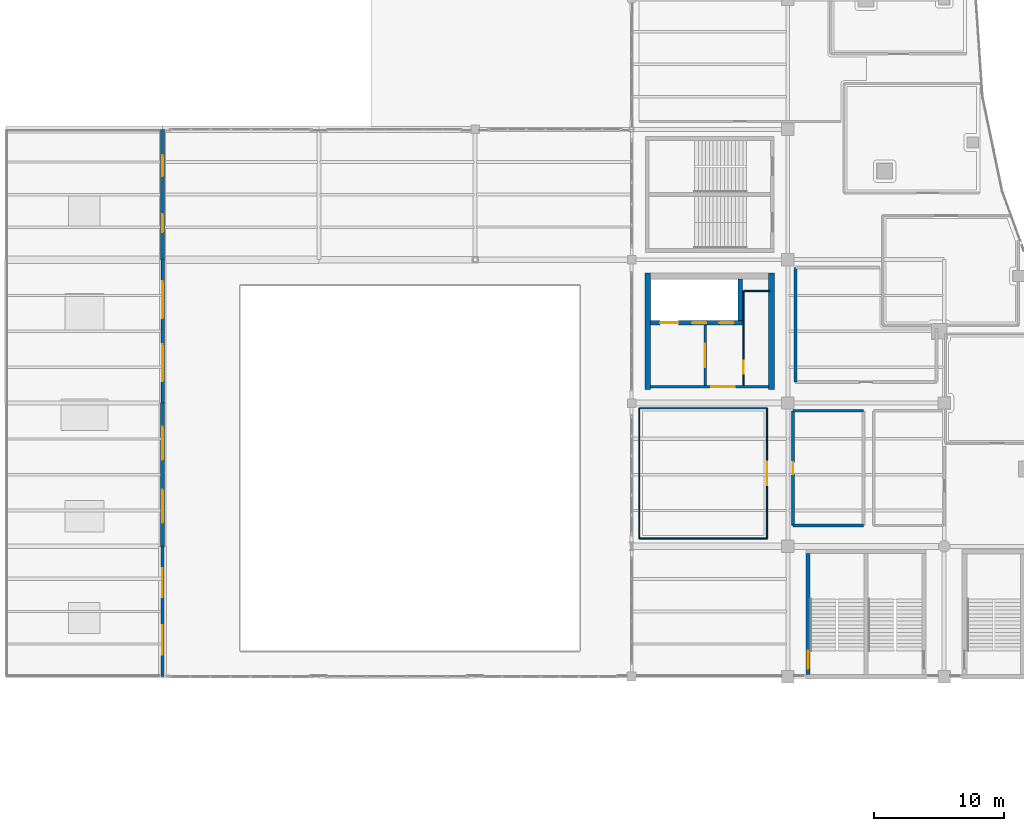
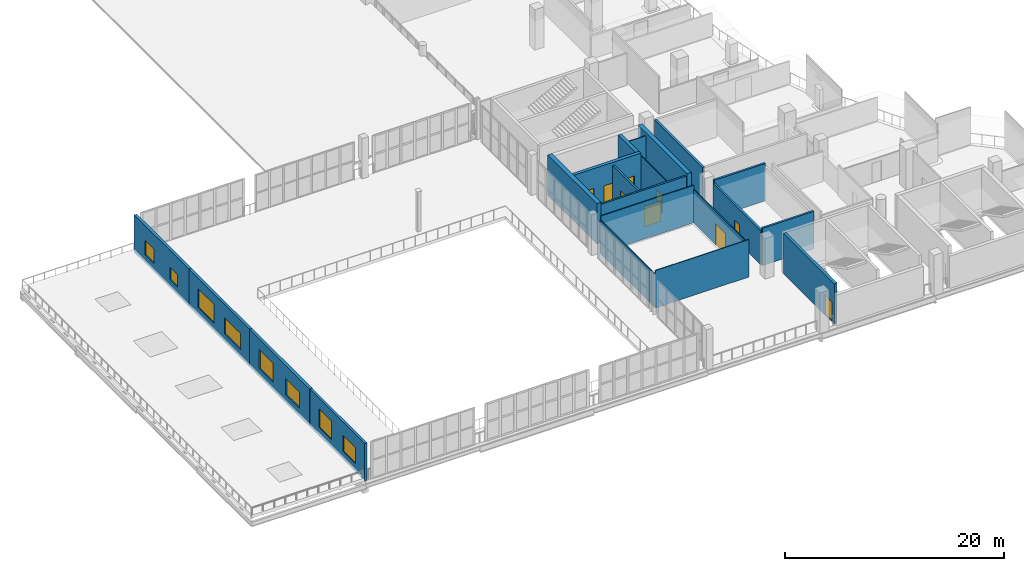
# One storey, part 60 of 90: 21 walls, 9 doors, 8 windows, 17 openings.
"""IFC4 building model written with IfcOpenShell, lengths in metres."""

import ifcopenshell
import ifcopenshell.guid

model = None  # the IFC model being written
_history = None  # IfcOwnerHistory: only IFC2X3 demands one
_inside = {}  # id of a spatial element -> (the spatial element, [elements in it])
_under = {}  # id of a project, library or spatial element -> (it, [spatial elements below it])
_declared = {}  # id of a project -> (the project, [libraries it declares])
_typed = {}  # id of a type object -> (the type object, [elements of that type])
_made_of = {}  # id of a material, layer set ... -> (it, [elements and type objects made of it])


def new_model(schema):
    """Start an empty IFC model of exactly this schema.

    Asked for "IFC4X3", IfcOpenShell would pick the latest addendum, in which some entities
    have other attributes; the version numbers below select the first issue.
    IFC2X3 requires an IfcOwnerHistory on every rooted entity: one is made here for all.
    """
    global model, _history
    if schema == "IFC4X3":
        model = ifcopenshell.file(schema_version=(4, 3, 0, 0))
    else:
        model = ifcopenshell.file(schema=schema)
    _inside.clear()
    _under.clear()
    _declared.clear()
    _typed.clear()
    _made_of.clear()
    _history = None
    if model.schema == "IFC2X3":
        org = make("IfcOrganization", Name="unknown")
        user = make(
            "IfcPersonAndOrganization",
            ThePerson=make("IfcPerson", FamilyName="unknown"),
            TheOrganization=org,
        )
        app = make(
            "IfcApplication",
            ApplicationDeveloper=org,
            Version="unknown",
            ApplicationFullName="unknown",
            ApplicationIdentifier="unknown",
        )
        _history = make(
            "IfcOwnerHistory",
            OwningUser=user,
            OwningApplication=app,
            ChangeAction="ADDED",
            CreationDate=0,
        )
    return model


def make(cls, **values):
    """One entity of the class cls with the attributes given. An attribute that is None is left unset."""
    return model.create_entity(
        cls, **{name: value for name, value in values.items() if value is not None}
    )


def rooted(cls, **values):
    """An entity with a GlobalId (a new one), such as an element, a storey or a relation."""
    return make(cls, GlobalId=ifcopenshell.guid.new(), OwnerHistory=_history, **values)


def si_unit(unit_type, name, prefix=None):
    """IfcSIUnit, for example si_unit("LENGTHUNIT", "METRE", prefix="MILLI")."""
    return make("IfcSIUnit", UnitType=unit_type, Prefix=prefix, Name=name)


def assignment(units):
    """IfcUnitAssignment: the units of a project."""
    return None if units is None else make("IfcUnitAssignment", Units=units)


def point(xyz):
    """IfcCartesianPoint."""
    return None if xyz is None else make("IfcCartesianPoint", Coordinates=xyz)


def direction(xyz):
    """IfcDirection."""
    return None if xyz is None else make("IfcDirection", DirectionRatios=xyz)


def frame(location, z_axis=None, x_axis=None):
    """IfcAxis2Placement3D, a coordinate frame: its origin and axes. An axis left out is left unset."""
    return make(
        "IfcAxis2Placement3D",
        Location=point(location),
        Axis=direction(z_axis),
        RefDirection=direction(x_axis),
    )


def frame_2d(location, x_axis=None):
    """IfcAxis2Placement2D, a coordinate frame in the plane: its origin and x axis."""
    return make(
        "IfcAxis2Placement2D", Location=point(location), RefDirection=direction(x_axis)
    )


def origin():
    """The frame at (0, 0, 0) with its axes left unset."""
    return frame((0.0, 0.0, 0.0))


def place(relative_to, where):
    """IfcLocalPlacement: puts the frame where relative to a parent placement (None: the world)."""
    return make(
        "IfcLocalPlacement", PlacementRelTo=relative_to, RelativePlacement=where
    )


def context(
    kind, dimensions, precision=None, world=None, true_north=None, identifier=None
):
    """IfcGeometricRepresentationContext, for example the 3D "Model" context."""
    return make(
        "IfcGeometricRepresentationContext",
        ContextIdentifier=identifier,
        ContextType=kind,
        CoordinateSpaceDimension=dimensions,
        Precision=precision,
        WorldCoordinateSystem=world,
        TrueNorth=true_north,
    )


def subcontext(parent, identifier, kind, view, scale=None):
    """IfcGeometricRepresentationSubContext, for example "Body" below "Model"."""
    return make(
        "IfcGeometricRepresentationSubContext",
        ContextIdentifier=identifier,
        ContextType=kind,
        ParentContext=parent,
        TargetScale=scale,
        TargetView=view,
    )


def project(units=None, contexts=None):
    """IfcProject with its units and contexts."""
    return rooted(
        "IfcProject",
        Name="project",
        RepresentationContexts=contexts,
        UnitsInContext=assignment(units),
    )


def spatial(cls, under=None, at=None, **own):
    """A site, building, storey or space (cls), placed at a placement, below another one or the project."""
    s = rooted(cls, ObjectPlacement=at, **own)
    if under is not None:
        _under.setdefault(under.id(), (under, []))[1].append(s)
    return s


def profile(cls, at=None, kind="AREA", **sizes):
    """A parametric profile (cls). Its sizes go by their IFC names, for example OverallWidth=200.0."""
    return make(cls, ProfileType=kind, Position=at, **sizes)


def rectangle(**sizes):
    """IfcRectangleProfileDef."""
    return profile("IfcRectangleProfileDef", **sizes)


def extrude(swept, where, along, depth):
    """IfcExtrudedAreaSolid: the profile swept, set in the frame where, extruded along a direction by depth."""
    return make(
        "IfcExtrudedAreaSolid",
        SweptArea=swept,
        Position=where,
        ExtrudedDirection=direction(along),
        Depth=depth,
    )


def shape(context_of_items, identifier, shape_type, items):
    """IfcShapeRepresentation: the items that make up one representation, for example the "Body"."""
    return make(
        "IfcShapeRepresentation",
        ContextOfItems=context_of_items,
        RepresentationIdentifier=identifier,
        RepresentationType=shape_type,
        Items=items,
    )


def material(Name=None, Category=None):
    """IfcMaterial."""
    return make("IfcMaterial", Name=Name, Category=Category)


def layer(
    of_material, thickness, ventilated=None, Name=None, Category=None, Priority=None
):
    """IfcMaterialLayer: one layer of a wall or slab, of a material (None: an air gap)."""
    return make(
        "IfcMaterialLayer",
        Material=of_material,
        LayerThickness=thickness,
        IsVentilated=ventilated,
        Name=Name,
        Category=Category,
        Priority=Priority,
    )


def layer_set(layers, Name=None):
    """IfcMaterialLayerSet."""
    return make("IfcMaterialLayerSet", MaterialLayers=layers, LayerSetName=Name)


def made_of(thing, what):
    """Note that an element or type object is made of a material, layer set ...; save() writes the relation."""
    if what is not None:
        _made_of.setdefault(what.id(), (what, []))[1].append(thing)
    return thing


def type_object(cls, material=None, **own):
    """A type object (cls), such as IfcWallType, which elements share."""
    return made_of(rooted(cls, **own), material)


def element(
    cls,
    number,
    at=None,
    inside=None,
    cuts=None,
    type_object=None,
    material=None,
    context=None,
    identifier="Body",
    shape_type=None,
    held_by="IfcProductDefinitionShape",
    body=None,
    shapes=None,
    **own,
):
    """One element of the class cls, such as IfcWall. Its Tag is "e" and its number.

    at: its placement. inside: the storey or other place that contains it. cuts: it is an
    opening in that element (IfcRelVoidsElement). A single representation is given by context,
    identifier, shape_type and body (its items); several are given by shapes. held_by: the class
    of the entity that holds the representations. save() writes the other relations.
    """
    e = rooted(cls, Tag="e%d" % number, ObjectPlacement=at, **own)
    if body is not None:
        shapes = [shape(context, identifier, shape_type, body)]
    if shapes is not None:
        e.Representation = make(held_by, Representations=shapes)
    if inside is not None:
        _inside.setdefault(inside.id(), (inside, []))[1].append(e)
    if cuts is not None:
        rooted(
            "IfcRelVoidsElement", RelatingBuildingElement=cuts, RelatedOpeningElement=e
        )
    if type_object is not None:
        _typed.setdefault(type_object.id(), (type_object, []))[1].append(e)
    return made_of(e, material)


def fill(opening, filler):
    """IfcRelFillsElement: the door or window that sits in an opening."""
    return rooted(
        "IfcRelFillsElement",
        RelatingOpeningElement=opening,
        RelatedBuildingElement=filler,
    )


def aggregate(whole, parts):
    """IfcRelAggregates: a whole, such as a stair, and the parts it consists of."""
    return rooted("IfcRelAggregates", RelatingObject=whole, RelatedObjects=parts)


def save(model, path):
    """Write the relations noted so far, then the file.

    IfcRelAggregates (storeys below a building ...), IfcRelContainedInSpatialStructure (elements
    in a storey), IfcRelDefinesByType, IfcRelAssociatesMaterial and IfcRelDeclares: one each for
    every whole, place, type object, material and project.
    """
    for whole, parts in _under.values():
        aggregate(whole, parts)
    for where, things in _inside.values():
        rooted(
            "IfcRelContainedInSpatialStructure",
            RelatedElements=things,
            RelatingStructure=where,
        )
    for kind, things in _typed.values():
        rooted("IfcRelDefinesByType", RelatedObjects=things, RelatingType=kind)
    for what, things in _made_of.values():
        rooted("IfcRelAssociatesMaterial", RelatedObjects=things, RelatingMaterial=what)
    for by, libraries in _declared.values():
        rooted("IfcRelDeclares", RelatingContext=by, RelatedDefinitions=libraries)
    model.write(path)


model = new_model("IFC4")

# Units and contexts
model_context = context("Model", 3, precision=1e-05, world=origin(), true_north=direction((0.0, 1.0)))
body_context = subcontext(model_context, "Body", "Model", "MODEL_VIEW")
ifc_project = project(units=[si_unit("LENGTHUNIT", "METRE"), si_unit("AREAUNIT", "SQUARE_METRE"), si_unit("VOLUMEUNIT", "CUBIC_METRE"), si_unit("PLANEANGLEUNIT", "RADIAN"), si_unit("MASSUNIT", "GRAM", prefix="KILO")], contexts=[model_context])

# Site, building, storey
site_placement = place(None, origin())
site = spatial("IfcSite", under=ifc_project, at=site_placement, CompositionType="ELEMENT")
building_placement = place(site_placement, origin())
building = spatial("IfcBuilding", under=site, at=building_placement, Name="Brinegate Civic Arena", CompositionType="ELEMENT")
storey_placement = place(building_placement, frame((0.0, 0.0, 14.699951171875)))
storey = spatial("IfcBuildingStorey", under=building, at=storey_placement, Name="L03", CompositionType="ELEMENT", Elevation=14.699951171875)

# Wall, openings, doors
ifc_material_1 = material(Name="Concrete C50/60", Category="concrete")
ifc_layer_1 = layer(ifc_material_1, 0.35009765625, Name="Concrete C50/60")
ifc_layer_set_1 = layer_set([ifc_layer_1], Name="Concrete C50/60")
wall_type_1 = type_object("IfcWallType", Name="WALL-CORE-SHEAR-350", PredefinedType="SHEAR", material=ifc_layer_set_1)
wall_1_placement = place(storey_placement, frame((49.47509765625, 37.14990234375, 0.0), z_axis=(0.0, 0.0, 1.0), x_axis=(1.0, 0.0, 0.0)))
wall_1 = element("IfcWall", 1, at=wall_1_placement, inside=storey, type_object=wall_type_1, Name="Core K2 Lift Shaft Front Wall L03 (WBG-21)", PredefinedType="SHEAR", context=body_context, shape_type="SweptSolid", body=[
    extrude(rectangle(XDim=7.0498046875, YDim=0.35009765625, at=frame_2d((3.52490234375, 0.0))), origin(), (0.0, 0.0, 1.0), 4.5),
])
opening_1_placement = place(wall_1_placement, frame((0.72509765625, 0.0, 0.0)))
opening_1 = element("IfcOpeningElement", 2, at=opening_1_placement, cuts=wall_1, Name="Opening LD-FL2-L03", PredefinedType="OPENING", context=body_context, shape_type="SweptSolid", body=[
    extrude(rectangle(XDim=1.39990234375, YDim=2.300048828125, at=frame_2d((0.699951171875, 1.14990234375))), frame((0.0, 0.18505859375, 0.0), z_axis=(0.0, -1.0, 0.0), x_axis=(1.0, 0.0, 0.0)), (0.0, 0.0, 1.0), 0.3701171875),
])
opening_2_placement = place(wall_1_placement, frame((3.175048828125, 0.0, 0.0)))
opening_2 = element("IfcOpeningElement", 3, at=opening_2_placement, cuts=wall_1, Name="Opening LD-PL3-L03", PredefinedType="OPENING", context=body_context, shape_type="SweptSolid", body=[
    extrude(rectangle(XDim=1.10009765625, YDim=2.199951171875, at=frame_2d((0.550048828125, 1.10009765625))), frame((0.0, 0.18505859375, 0.0), z_axis=(0.0, -1.0, 0.0), x_axis=(1.0, 0.0, 0.0)), (0.0, 0.0, 1.0), 0.3701171875),
])
opening_3_placement = place(wall_1_placement, frame((5.27490234375, 0.0, 0.0)))
opening_3 = element("IfcOpeningElement", 4, at=opening_3_placement, cuts=wall_1, Name="Opening LD-PL4-L03", PredefinedType="OPENING", context=body_context, shape_type="SweptSolid", body=[
    extrude(rectangle(XDim=1.10009765625, YDim=2.199951171875, at=frame_2d((0.550048828125, 1.10009765625))), frame((0.0, 0.18505859375, 0.0), z_axis=(0.0, -1.0, 0.0), x_axis=(1.0, 0.0, 0.0)), (0.0, 0.0, 1.0), 0.3701171875),
])
ifc_material_2 = material(Name="Architectural stainless steel balustrade", Category="steel")
door_type_1 = type_object("IfcDoorType", Name="DOOR-LIFT-1100X2200", OperationType="SLIDING_TO_LEFT", PredefinedType="DOOR", material=ifc_material_2)
door_1_placement = place(opening_2_placement, origin())
door_1 = element("IfcDoor", 5, at=door_1_placement, inside=storey, type_object=door_type_1, Name="Sliding Lift Landing Door LD-PL3-L03", OperationType="SLIDING_TO_LEFT", OverallHeight=2.199951171875, OverallWidth=1.10009765625, PredefinedType="DOOR", context=body_context, shape_type="SweptSolid", body=[
    extrude(rectangle(XDim=1.10009765625, YDim=2.199951171875, at=frame_2d((0.550048828125, 1.10009765625))), frame((0.0, 0.02490234375, 0.0), z_axis=(0.0, -1.0, 0.0), x_axis=(1.0, 0.0, 0.0)), (0.0, 0.0, 1.0), 0.050048828125),
])
fill(opening_2, door_1)
door_2_placement = place(opening_3_placement, origin())
door_2 = element("IfcDoor", 6, at=door_2_placement, inside=storey, type_object=door_type_1, Name="Sliding Lift Landing Door LD-PL4-L03", OperationType="SLIDING_TO_LEFT", OverallHeight=2.199951171875, OverallWidth=1.10009765625, PredefinedType="DOOR", context=body_context, shape_type="SweptSolid", body=[
    extrude(rectangle(XDim=1.10009765625, YDim=2.199951171875, at=frame_2d((0.550048828125, 1.10009765625))), frame((0.0, 0.02490234375, 0.0), z_axis=(0.0, -1.0, 0.0), x_axis=(1.0, 0.0, 0.0)), (0.0, 0.0, 1.0), 0.050048828125),
])
fill(opening_3, door_2)
door_type_2 = type_object("IfcDoorType", Name="DOOR-LIFT-1400X2300", OperationType="SLIDING_TO_LEFT", PredefinedType="DOOR", material=ifc_material_2)
door_3_placement = place(opening_1_placement, origin())
door_3 = element("IfcDoor", 7, at=door_3_placement, inside=storey, type_object=door_type_2, Name="Sliding Lift Landing Door LD-FL2-L03", OperationType="SLIDING_TO_LEFT", OverallHeight=2.300048828125, OverallWidth=1.39990234375, PredefinedType="DOOR", context=body_context, shape_type="SweptSolid", body=[
    extrude(rectangle(XDim=1.39990234375, YDim=2.300048828125, at=frame_2d((0.699951171875, 1.14990234375))), frame((0.0, 0.02490234375, 0.0), z_axis=(0.0, -1.0, 0.0), x_axis=(1.0, 0.0, 0.0)), (0.0, 0.0, 1.0), 0.050048828125),
])
fill(opening_1, door_3)

# Walls
wall_2_placement = place(storey_placement, frame((56.35009765625, 37.324951171875, 0.0), z_axis=(0.0, 0.0, 1.0), x_axis=(0.0, 1.0, 0.0)))
element("IfcWall", 8, at=wall_2_placement, inside=storey, type_object=wall_type_1, Name="Core K2 Lift Shaft End Wall L03 (WBG-22)", PredefinedType="SHEAR", context=body_context, shape_type="SweptSolid", body=[
    extrude(rectangle(XDim=3.199951171875, YDim=0.35009765625, at=frame_2d((1.60009765625, 0.0))), origin(), (0.0, 0.0, 1.0), 4.5),
])
ifc_layer_2 = layer(ifc_material_1, 0.449951171875, Name="Concrete C50/60")
ifc_layer_set_2 = layer_set([ifc_layer_2], Name="Concrete C50/60")
wall_type_2 = type_object("IfcWallType", Name="WALL-CORE-SHEAR-450", PredefinedType="SHEAR", material=ifc_layer_set_2)
for number, where, z_axis, x_axis, name in (
    (9, (49.25, 32.02490234375, 0.0), (0.0, 0.0, 1.0), (0.0, 1.0, 0.0), "Core K2 West Shear Wall L03 (WBG-18)"),
    (10, (58.75, 32.02490234375, 0.0), (0.0, 0.0, 1.0), (0.0, 1.0, 0.0), "Core K2 East Shear Wall L03 (WBG-19)"),
):
    element("IfcWall", number, at=place(storey_placement, frame(where, z_axis=z_axis, x_axis=x_axis)), inside=storey, type_object=wall_type_2, Name=name, PredefinedType="SHEAR", context=body_context, shape_type="SweptSolid", body=[
        extrude(rectangle(XDim=8.9501953125, YDim=0.449951171875, at=frame_2d((4.47509765625, 0.0))), origin(), (0.0, 0.0, 1.0), 4.5),
    ])

# Wall, openings, windows
ifc_material_3 = material(Name="Concrete C40/50", Category="concrete")
ifc_layer_3 = layer(ifc_material_3, 0.239990234375, Name="Concrete C40/50")
ifc_layer_set_3 = layer_set([ifc_layer_3], Name="Concrete C40/50")
wall_type_3 = type_object("IfcWallType", Name="WALL-EXT-CONC-240", PredefinedType="SOLIDWALL", material=ifc_layer_set_3)
wall_3_placement = place(storey_placement, frame((12.0, 10.0, 0.0), z_axis=(0.0, 0.0, 1.0), x_axis=(0.0, 1.0, 0.0)))
wall_3 = element("IfcWall", 11, at=wall_3_placement, inside=storey, type_object=wall_type_3, Name="Perimeter Window Wall L03-12 (WBA-12)", PredefinedType="SOLIDWALL", context=body_context, shape_type="SweptSolid", body=[
    extrude(rectangle(XDim=10.0, YDim=0.239990234375, at=frame_2d((5.0, 0.0))), origin(), (0.0, 0.0, 1.0), 4.16015625),
])
opening_4_placement = place(wall_3_placement, frame((1.675048828125, 0.0, 0.89990234375)))
opening_4 = element("IfcOpeningElement", 12, at=opening_4_placement, cuts=wall_3, Name="Opening WN-0021", PredefinedType="OPENING", context=body_context, shape_type="SweptSolid", body=[
    extrude(rectangle(XDim=2.25, YDim=1.800048828125, at=frame_2d((1.125, 0.89990234375))), frame((0.0, 0.1298828125, 0.0), z_axis=(0.0, -1.0, 0.0), x_axis=(1.0, 0.0, 0.0)), (0.0, 0.0, 1.0), 0.260009765625),
])
opening_5_placement = place(wall_3_placement, frame((6.074951171875, 0.0, 0.89990234375)))
opening_5 = element("IfcOpeningElement", 13, at=opening_5_placement, cuts=wall_3, Name="Opening WN-0022", PredefinedType="OPENING", context=body_context, shape_type="SweptSolid", body=[
    extrude(rectangle(XDim=2.25, YDim=2.10009765625, at=frame_2d((1.125, 1.050048828125))), frame((0.0, 0.1298828125, 0.0), z_axis=(0.0, -1.0, 0.0), x_axis=(1.0, 0.0, 0.0)), (0.0, 0.0, 1.0), 0.260009765625),
])
ifc_material_4 = material(Name="Hurricane laminated low-E glass", Category="glass")
window_type_1 = type_object("IfcWindowType", Name="WIN-CASEMENT-2250X1800", PartitioningType="SINGLE_PANEL", PredefinedType="WINDOW", material=ifc_material_4)
window_1_placement = place(opening_4_placement, origin())
window_1 = element("IfcWindow", 14, at=window_1_placement, inside=storey, type_object=window_type_1, Name="Window WN-0021", OverallHeight=1.800048828125, OverallWidth=2.25, PartitioningType="SINGLE_PANEL", PredefinedType="WINDOW", context=body_context, shape_type="SweptSolid", body=[
    extrude(rectangle(XDim=2.25, YDim=1.800048828125, at=frame_2d((1.125, 0.89990234375))), frame((0.0, 0.030029296875, 0.0), z_axis=(0.0, -1.0, 0.0), x_axis=(1.0, 0.0, 0.0)), (0.0, 0.0, 1.0), 0.06005859375),
])
fill(opening_4, window_1)
window_type_2 = type_object("IfcWindowType", Name="WIN-CASEMENT-2250X2100", PartitioningType="SINGLE_PANEL", PredefinedType="WINDOW", material=ifc_material_4)
window_2_placement = place(opening_5_placement, origin())
window_2 = element("IfcWindow", 15, at=window_2_placement, inside=storey, type_object=window_type_2, Name="Window WN-0022", OverallHeight=2.10009765625, OverallWidth=2.25, PartitioningType="SINGLE_PANEL", PredefinedType="WINDOW", context=body_context, shape_type="SweptSolid", body=[
    extrude(rectangle(XDim=2.25, YDim=2.10009765625, at=frame_2d((1.125, 1.050048828125))), frame((0.0, 0.030029296875, 0.0), z_axis=(0.0, -1.0, 0.0), x_axis=(1.0, 0.0, 0.0)), (0.0, 0.0, 1.0), 0.06005859375),
])
fill(opening_5, window_2)

ifc_material_5 = material(Name="Precast concrete C45/55", Category="concrete")
ifc_layer_4 = layer(ifc_material_5, 0.27001953125, Name="Precast concrete C45/55")
ifc_layer_set_4 = layer_set([ifc_layer_4], Name="Precast concrete C45/55")
wall_type_4 = type_object("IfcWallType", Name="WALL-EXT-PRECAST-270", PredefinedType="SOLIDWALL", material=ifc_layer_set_4)
wall_4_placement = place(storey_placement, frame((12.0, 31.0, 0.0), z_axis=(0.0, 0.0, 1.0), x_axis=(0.0, 1.0, 0.0)))
wall_4 = element("IfcWall", 16, at=wall_4_placement, inside=storey, type_object=wall_type_4, Name="Perimeter Window Wall L03-14 (WBA-14)", PredefinedType="SOLIDWALL", context=body_context, shape_type="SweptSolid", body=[
    extrude(rectangle(XDim=11.0, YDim=0.27001953125, at=frame_2d((5.5, 0.0))), origin(), (0.0, 0.0, 1.0), 4.16015625),
])
opening_6_placement = place(wall_4_placement, frame((1.655029296875, 0.0, 0.89990234375)))
opening_6 = element("IfcOpeningElement", 17, at=opening_6_placement, cuts=wall_4, Name="Opening WN-0025", PredefinedType="OPENING", context=body_context, shape_type="SweptSolid", body=[
    extrude(rectangle(XDim=2.85009765625, YDim=1.800048828125, at=frame_2d((1.425048828125, 0.89990234375))), frame((0.0, 0.14501953125, 0.0), z_axis=(0.0, -1.0, 0.0), x_axis=(1.0, 0.0, 0.0)), (0.0, 0.0, 1.0), 0.2900390625),
])
opening_7_placement = place(wall_4_placement, frame((6.4951171875, 0.0, 0.89990234375)))
opening_7 = element("IfcOpeningElement", 18, at=opening_7_placement, cuts=wall_4, Name="Opening WN-0026", PredefinedType="OPENING", context=body_context, shape_type="SweptSolid", body=[
    extrude(rectangle(XDim=2.85009765625, YDim=2.10009765625, at=frame_2d((1.425048828125, 1.050048828125))), frame((0.0, 0.14501953125, 0.0), z_axis=(0.0, -1.0, 0.0), x_axis=(1.0, 0.0, 0.0)), (0.0, 0.0, 1.0), 0.2900390625),
])
window_type_3 = type_object("IfcWindowType", Name="WIN-CASEMENT-2850X1800", PartitioningType="SINGLE_PANEL", PredefinedType="WINDOW", material=ifc_material_4)
window_3_placement = place(opening_6_placement, origin())
window_3 = element("IfcWindow", 19, at=window_3_placement, inside=storey, type_object=window_type_3, Name="Window WN-0025", OverallHeight=1.800048828125, OverallWidth=2.85009765625, PartitioningType="SINGLE_PANEL", PredefinedType="WINDOW", context=body_context, shape_type="SweptSolid", body=[
    extrude(rectangle(XDim=2.85009765625, YDim=1.800048828125, at=frame_2d((1.425048828125, 0.89990234375))), frame((0.0, 0.030029296875, 0.0), z_axis=(0.0, -1.0, 0.0), x_axis=(1.0, 0.0, 0.0)), (0.0, 0.0, 1.0), 0.06005859375),
])
fill(opening_6, window_3)
window_type_4 = type_object("IfcWindowType", Name="WIN-CASEMENT-2850X2100", PartitioningType="SINGLE_PANEL", PredefinedType="WINDOW", material=ifc_material_4)
window_4_placement = place(opening_7_placement, origin())
window_4 = element("IfcWindow", 20, at=window_4_placement, inside=storey, type_object=window_type_4, Name="Window WN-0026", OverallHeight=2.10009765625, OverallWidth=2.85009765625, PartitioningType="SINGLE_PANEL", PredefinedType="WINDOW", context=body_context, shape_type="SweptSolid", body=[
    extrude(rectangle(XDim=2.85009765625, YDim=2.10009765625, at=frame_2d((1.425048828125, 1.050048828125))), frame((0.0, 0.030029296875, 0.0), z_axis=(0.0, -1.0, 0.0), x_axis=(1.0, 0.0, 0.0)), (0.0, 0.0, 1.0), 0.06005859375),
])
fill(opening_7, window_4)

ifc_layer_5 = layer(ifc_material_5, 0.284912109375, Name="Precast concrete C45/55")
ifc_layer_set_5 = layer_set([ifc_layer_5], Name="Precast concrete C45/55")
wall_type_5 = type_object("IfcWallType", Name="WALL-EXT-PRECAST-285", PredefinedType="SOLIDWALL", material=ifc_layer_set_5)
wall_5_placement = place(storey_placement, frame((12.0, 42.0, 0.0), z_axis=(0.0, 0.0, 1.0), x_axis=(0.0, 1.0, 0.0)))
wall_5 = element("IfcWall", 21, at=wall_5_placement, inside=storey, type_object=wall_type_5, Name="Perimeter Window Wall L03-15 (WBA-15)", PredefinedType="SOLIDWALL", context=body_context, shape_type="SweptSolid", body=[
    extrude(rectangle(XDim=10.0, YDim=0.284912109375, at=frame_2d((5.0, 0.0))), origin(), (0.0, 0.0, 1.0), 4.16015625),
])
opening_8_placement = place(wall_5_placement, frame((2.10009765625, 0.0, 0.89990234375)))
opening_8 = element("IfcOpeningElement", 22, at=opening_8_placement, cuts=wall_5, Name="Opening WN-0027", PredefinedType="OPENING", context=body_context, shape_type="SweptSolid", body=[
    extrude(rectangle(XDim=1.39990234375, YDim=1.39990234375, at=frame_2d((0.699951171875, 0.699951171875))), frame((0.0, 0.15234375, 0.0), z_axis=(0.0, -1.0, 0.0), x_axis=(1.0, 0.0, 0.0)), (0.0, 0.0, 1.0), 0.304931640625),
])
opening_9_placement = place(wall_5_placement, frame((6.39990234375, 0.0, 0.89990234375)))
opening_9 = element("IfcOpeningElement", 23, at=opening_9_placement, cuts=wall_5, Name="Opening WN-0028", PredefinedType="OPENING", context=body_context, shape_type="SweptSolid", body=[
    extrude(rectangle(XDim=1.60009765625, YDim=1.60009765625, at=frame_2d((0.800048828125, 0.800048828125))), frame((0.0, 0.15234375, 0.0), z_axis=(0.0, -1.0, 0.0), x_axis=(1.0, 0.0, 0.0)), (0.0, 0.0, 1.0), 0.304931640625),
])
window_type_5 = type_object("IfcWindowType", Name="WIN-CASEMENT-1400X1400", PartitioningType="SINGLE_PANEL", PredefinedType="WINDOW", material=ifc_material_4)
window_5_placement = place(opening_8_placement, origin())
window_5 = element("IfcWindow", 24, at=window_5_placement, inside=storey, type_object=window_type_5, Name="Window WN-0027", OverallHeight=1.39990234375, OverallWidth=1.39990234375, PartitioningType="SINGLE_PANEL", PredefinedType="WINDOW", context=body_context, shape_type="SweptSolid", body=[
    extrude(rectangle(XDim=1.39990234375, YDim=1.39990234375, at=frame_2d((0.699951171875, 0.699951171875))), frame((0.0, 0.030029296875, 0.0), z_axis=(0.0, -1.0, 0.0), x_axis=(1.0, 0.0, 0.0)), (0.0, 0.0, 1.0), 0.06005859375),
])
fill(opening_8, window_5)
window_type_6 = type_object("IfcWindowType", Name="WIN-CASEMENT-1600X1600", PartitioningType="SINGLE_PANEL", PredefinedType="WINDOW", material=ifc_material_4)
window_6_placement = place(opening_9_placement, origin())
window_6 = element("IfcWindow", 25, at=window_6_placement, inside=storey, type_object=window_type_6, Name="Window WN-0028", OverallHeight=1.60009765625, OverallWidth=1.60009765625, PartitioningType="SINGLE_PANEL", PredefinedType="WINDOW", context=body_context, shape_type="SweptSolid", body=[
    extrude(rectangle(XDim=1.60009765625, YDim=1.60009765625, at=frame_2d((0.800048828125, 0.800048828125))), frame((0.0, 0.030029296875, 0.0), z_axis=(0.0, -1.0, 0.0), x_axis=(1.0, 0.0, 0.0)), (0.0, 0.0, 1.0), 0.06005859375),
])
fill(opening_9, window_6)

ifc_layer_6 = layer(ifc_material_5, 0.300048828125, Name="Precast concrete C45/55")
ifc_layer_set_6 = layer_set([ifc_layer_6], Name="Precast concrete C45/55")
wall_type_6 = type_object("IfcWallType", Name="WALL-EXT-PRECAST-300", PredefinedType="SOLIDWALL", material=ifc_layer_set_6)
wall_6_placement = place(storey_placement, frame((12.0, 20.0, 0.0), z_axis=(0.0, 0.0, 1.0), x_axis=(0.0, 1.0, 0.0)))
wall_6 = element("IfcWall", 26, at=wall_6_placement, inside=storey, type_object=wall_type_6, Name="Perimeter Window Wall L03-13 (WBA-13)", PredefinedType="SOLIDWALL", context=body_context, shape_type="SweptSolid", body=[
    extrude(rectangle(XDim=11.0, YDim=0.300048828125, at=frame_2d((5.5, 0.0))), origin(), (0.0, 0.0, 1.0), 4.16015625),
])
opening_10_placement = place(wall_6_placement, frame((1.804931640625, 0.0, 0.89990234375)))
opening_10 = element("IfcOpeningElement", 27, at=opening_10_placement, cuts=wall_6, Name="Opening WN-0023", PredefinedType="OPENING", context=body_context, shape_type="SweptSolid", body=[
    extrude(rectangle(XDim=2.550048828125, YDim=1.800048828125, at=frame_2d((1.27490234375, 0.89990234375))), frame((0.0, 0.159912109375, 0.0), z_axis=(0.0, -1.0, 0.0), x_axis=(1.0, 0.0, 0.0)), (0.0, 0.0, 1.0), 0.320068359375),
])
opening_11_placement = place(wall_6_placement, frame((6.64501953125, 0.0, 0.89990234375)))
opening_11 = element("IfcOpeningElement", 28, at=opening_11_placement, cuts=wall_6, Name="Opening WN-0024", PredefinedType="OPENING", context=body_context, shape_type="SweptSolid", body=[
    extrude(rectangle(XDim=2.550048828125, YDim=2.10009765625, at=frame_2d((1.27490234375, 1.050048828125))), frame((0.0, 0.159912109375, 0.0), z_axis=(0.0, -1.0, 0.0), x_axis=(1.0, 0.0, 0.0)), (0.0, 0.0, 1.0), 0.320068359375),
])
window_type_7 = type_object("IfcWindowType", Name="WIN-CASEMENT-2550X1800", PartitioningType="SINGLE_PANEL", PredefinedType="WINDOW", material=ifc_material_4)
window_7_placement = place(opening_10_placement, origin())
window_7 = element("IfcWindow", 29, at=window_7_placement, inside=storey, type_object=window_type_7, Name="Window WN-0023", OverallHeight=1.800048828125, OverallWidth=2.550048828125, PartitioningType="SINGLE_PANEL", PredefinedType="WINDOW", context=body_context, shape_type="SweptSolid", body=[
    extrude(rectangle(XDim=2.550048828125, YDim=1.800048828125, at=frame_2d((1.27490234375, 0.89990234375))), frame((0.0, 0.030029296875, 0.0), z_axis=(0.0, -1.0, 0.0), x_axis=(1.0, 0.0, 0.0)), (0.0, 0.0, 1.0), 0.06005859375),
])
fill(opening_10, window_7)
window_type_8 = type_object("IfcWindowType", Name="WIN-CASEMENT-2550X2100", PartitioningType="SINGLE_PANEL", PredefinedType="WINDOW", material=ifc_material_4)
window_8_placement = place(opening_11_placement, origin())
window_8 = element("IfcWindow", 30, at=window_8_placement, inside=storey, type_object=window_type_8, Name="Window WN-0024", OverallHeight=2.10009765625, OverallWidth=2.550048828125, PartitioningType="SINGLE_PANEL", PredefinedType="WINDOW", context=body_context, shape_type="SweptSolid", body=[
    extrude(rectangle(XDim=2.550048828125, YDim=2.10009765625, at=frame_2d((1.27490234375, 1.050048828125))), frame((0.0, 0.030029296875, 0.0), z_axis=(0.0, -1.0, 0.0), x_axis=(1.0, 0.0, 0.0)), (0.0, 0.0, 1.0), 0.06005859375),
])
fill(opening_11, window_8)

# Wall
ifc_layer_7 = layer(ifc_material_3, 0.2099609375, Name="Concrete C40/50")
ifc_layer_set_7 = layer_set([ifc_layer_7], Name="Concrete C40/50")
wall_type_7 = type_object("IfcWallType", Name="WALL-INT-SOLID-210", PredefinedType="SOLIDWALL", material=ifc_layer_set_7)
wall_7_placement = place(storey_placement, frame((65.800048828125, 21.60009765625, 0.0), z_axis=(0.0, 0.0, 1.0), x_axis=(-1.0, 0.0, 0.0)))
element("IfcWall", 31, at=wall_7_placement, inside=storey, type_object=wall_type_7, Name="Hospitality Male Toilet L03 Partition Wall E2 (WBK-19)", PredefinedType="SOLIDWALL", context=body_context, shape_type="SweptSolid", body=[
    extrude(rectangle(XDim=5.400146484375, YDim=0.2099609375, at=frame_2d((2.7001953125, 0.0))), origin(), (0.0, 0.0, 1.0), 4.16015625),
])

# Wall, opening, door
wall_8_placement = place(storey_placement, frame((60.39990234375, 21.60009765625, 0.0), z_axis=(0.0, 0.0, 1.0), x_axis=(0.0, 1.0, 0.0)))
wall_8 = element("IfcWall", 32, at=wall_8_placement, inside=storey, type_object=wall_type_7, Name="Hospitality Male Toilet L03 Partition Wall E3 (WBK-20)", PredefinedType="SOLIDWALL", context=body_context, shape_type="SweptSolid", body=[
    extrude(rectangle(XDim=8.7998046875, YDim=0.2099609375, at=frame_2d((4.39990234375, 0.0))), origin(), (0.0, 0.0, 1.0), 3.830078125),
])
opening_12_placement = place(wall_8_placement, frame((3.949951171875, 0.0, 0.0)))
opening_12 = element("IfcOpeningElement", 33, at=opening_12_placement, cuts=wall_8, Name="Opening D-L03-212", PredefinedType="OPENING", context=body_context, shape_type="SweptSolid", body=[
    extrude(rectangle(XDim=0.89990234375, YDim=2.10009765625, at=frame_2d((0.449951171875, 1.050048828125))), frame((0.0, 0.114990234375, 0.0), z_axis=(0.0, -1.0, 0.0), x_axis=(1.0, 0.0, 0.0)), (0.0, 0.0, 1.0), 0.22998046875),
])
ifc_material_6 = material(Name="Hardwood acoustic timber door", Category="wood")
door_type_3 = type_object("IfcDoorType", Name="DOOR-WC-900X2100", OperationType="NOTDEFINED", PredefinedType="DOOR", material=ifc_material_6)
door_4_placement = place(opening_12_placement, origin())
door_4 = element("IfcDoor", 34, at=door_4_placement, inside=storey, type_object=door_type_3, Name="Hospitality Male Toilet L03 Door D-L03-212", OperationType="SINGLE_SWING_LEFT", OverallHeight=2.10009765625, OverallWidth=0.89990234375, PredefinedType="DOOR", context=body_context, shape_type="SweptSolid", body=[
    extrude(rectangle(XDim=0.89990234375, YDim=2.10009765625, at=frame_2d((0.449951171875, 1.050048828125))), frame((0.0, 0.02490234375, 0.0), z_axis=(0.0, -1.0, 0.0), x_axis=(1.0, 0.0, 0.0)), (0.0, 0.0, 1.0), 0.050048828125),
])
fill(opening_12, door_4)

# Walls
wall_9_placement = place(storey_placement, frame((60.39990234375, 30.39990234375, 0.0), z_axis=(0.0, 0.0, 1.0), x_axis=(1.0, 0.0, 0.0)))
element("IfcWall", 35, at=wall_9_placement, inside=storey, type_object=wall_type_7, Name="Hospitality Male Toilet L03 Partition Wall E4 (WBK-21)", PredefinedType="SOLIDWALL", context=body_context, shape_type="SweptSolid", body=[
    extrude(rectangle(XDim=5.400146484375, YDim=0.2099609375, at=frame_2d((2.7001953125, 0.0))), origin(), (0.0, 0.0, 1.0), 4.16015625),
])
ifc_layer_8 = layer(ifc_material_3, 0.22998046875, Name="Concrete C40/50")
ifc_layer_set_8 = layer_set([ifc_layer_8], Name="Concrete C40/50")
wall_type_8 = type_object("IfcWallType", Name="WALL-INT-SOLID-230", PredefinedType="SOLIDWALL", material=ifc_layer_set_8)
wall_10_placement = place(storey_placement, frame((60.60009765625, 32.60009765625, 0.0), z_axis=(0.0, 0.0, 1.0), x_axis=(0.0, 1.0, 0.0)))
element("IfcWall", 36, at=wall_10_placement, inside=storey, type_object=wall_type_8, Name="Suite Concierge Reception and Business Lounge Partition Wall E15 (WBK-16)", PredefinedType="SOLIDWALL", context=body_context, shape_type="SweptSolid", body=[
    extrude(rectangle(XDim=8.7998046875, YDim=0.22998046875, at=frame_2d((4.39990234375, 0.0))), origin(), (0.0, 0.0, 1.0), 4.16015625),
])

# Wall, opening, door
ifc_material_7 = material(Name="Fire-rated gypsum partition assembly")
ifc_layer_9 = layer(ifc_material_7, 0.090087890625, Name="Fire-rated gypsum partition assembly")
ifc_layer_set_9 = layer_set([ifc_layer_9], Name="Fire-rated gypsum partition assembly")
wall_type_9 = type_object("IfcWallType", Name="WALL-PART-LIGHT-090", PredefinedType="PARTITIONING", material=ifc_layer_set_9)
wall_11_placement = place(storey_placement, frame((58.39990234375, 30.60009765625, 0.0), z_axis=(0.0, 0.0, 1.0), x_axis=(0.0, -1.0, 0.0)))
wall_11 = element("IfcWall", 37, at=wall_11_placement, inside=storey, type_object=wall_type_9, Name="Central Hospitality Finishing Kitchen Partition Wall E1 (WBK-10)", PredefinedType="PARTITIONING", context=body_context, shape_type="SweptSolid", body=[
    extrude(rectangle(XDim=10.0, YDim=0.090087890625, at=frame_2d((5.0, 0.0))), origin(), (0.0, 0.0, 1.0), 3.72998046875),
])
opening_13_placement = place(wall_11_placement, frame((4.10009765625, 0.0, 0.0)))
opening_13 = element("IfcOpeningElement", 38, at=opening_13_placement, cuts=wall_11, Name="Opening D-L03-210", PredefinedType="OPENING", context=body_context, shape_type="SweptSolid", body=[
    extrude(rectangle(XDim=1.800048828125, YDim=2.300048828125, at=frame_2d((0.89990234375, 1.14990234375))), frame((0.0, 0.054931640625, 0.0), z_axis=(0.0, -1.0, 0.0), x_axis=(1.0, 0.0, 0.0)), (0.0, 0.0, 1.0), 0.110107421875),
])
ifc_material_8 = material(Name="Marine grade aluminium", Category="aluminium")
door_type_4 = type_object("IfcDoorType", Name="DOOR-CONC-1800X2300", OperationType="NOTDEFINED", PredefinedType="DOOR", material=ifc_material_8)
door_5_placement = place(opening_13_placement, origin())
door_5 = element("IfcDoor", 39, at=door_5_placement, inside=storey, type_object=door_type_4, Name="Central Hospitality Finishing Kitchen Door D-L03-210", OperationType="DOUBLE_DOOR_SINGLE_SWING", OverallHeight=2.300048828125, OverallWidth=1.800048828125, PredefinedType="DOOR", context=body_context, shape_type="SweptSolid", body=[
    extrude(rectangle(XDim=1.800048828125, YDim=2.300048828125, at=frame_2d((0.89990234375, 1.14990234375))), frame((0.0, 0.02490234375, 0.0), z_axis=(0.0, -1.0, 0.0), x_axis=(1.0, 0.0, 0.0)), (0.0, 0.0, 1.0), 0.050048828125),
])
fill(opening_13, door_5)

# Walls
wall_12_placement = place(storey_placement, frame((58.39990234375, 20.60009765625, 0.0), z_axis=(0.0, 0.0, 1.0), x_axis=(-1.0, 0.0, 0.0)))
element("IfcWall", 40, at=wall_12_placement, inside=storey, type_object=wall_type_9, Name="Central Hospitality Finishing Kitchen Partition Wall E2 (WBK-11)", PredefinedType="PARTITIONING", context=body_context, shape_type="SweptSolid", body=[
    extrude(rectangle(XDim=9.7998046875, YDim=0.090087890625, at=frame_2d((4.89990234375, 0.0))), origin(), (0.0, 0.0, 1.0), 4.16015625),
])
wall_13_placement = place(storey_placement, frame((48.60009765625, 20.60009765625, 0.0), z_axis=(0.0, 0.0, 1.0), x_axis=(0.0, 1.0, 0.0)))
element("IfcWall", 41, at=wall_13_placement, inside=storey, type_object=wall_type_9, Name="Central Hospitality Finishing Kitchen Partition Wall E3 (WBK-12)", PredefinedType="PARTITIONING", context=body_context, shape_type="SweptSolid", body=[
    extrude(rectangle(XDim=10.0, YDim=0.090087890625, at=frame_2d((5.0, 0.0))), origin(), (0.0, 0.0, 1.0), 3.72998046875),
])
wall_14_placement = place(storey_placement, frame((48.60009765625, 30.60009765625, 0.0), z_axis=(0.0, 0.0, 1.0), x_axis=(1.0, 0.0, 0.0)))
element("IfcWall", 42, at=wall_14_placement, inside=storey, type_object=wall_type_9, Name="Central Hospitality Finishing Kitchen Partition Wall E4 (WBK-13)", PredefinedType="PARTITIONING", context=body_context, shape_type="SweptSolid", body=[
    extrude(rectangle(XDim=9.7998046875, YDim=0.090087890625, at=frame_2d((4.89990234375, 0.0))), origin(), (0.0, 0.0, 1.0), 4.16015625),
])

# Wall, opening, door
ifc_material_9 = material(Name="Concrete blockwork masonry", Category="masonry")
ifc_layer_10 = layer(ifc_material_9, 0.18994140625, Name="Concrete blockwork masonry")
ifc_layer_set_10 = layer_set([ifc_layer_10], Name="Concrete blockwork masonry")
wall_type_10 = type_object("IfcWallType", Name="WALL-PART-RATED-190", PredefinedType="PARTITIONING", material=ifc_layer_set_10)
wall_15_placement = place(storey_placement, frame((49.469970703125, 32.25, 0.0), z_axis=(0.0, 0.0, 1.0), x_axis=(1.0, 0.0, 0.0)))
wall_15 = element("IfcWall", 43, at=wall_15_placement, inside=storey, type_object=wall_type_10, Name="Core K2 Concourse Lobby Wall L03 (WBG-23)", PredefinedType="PARTITIONING", context=body_context, shape_type="SweptSolid", body=[
    extrude(rectangle(XDim=9.06005859375, YDim=0.18994140625, at=frame_2d((4.530029296875, 0.0))), origin(), (0.0, 0.0, 1.0), 4.16015625),
])
opening_14_placement = place(wall_15_placement, frame((4.64990234375, 0.0, 0.0)))
opening_14 = element("IfcOpeningElement", 44, at=opening_14_placement, cuts=wall_15, Name="Opening D-K2L-L03", PredefinedType="OPENING", context=body_context, shape_type="SweptSolid", body=[
    extrude(rectangle(XDim=1.800048828125, YDim=2.300048828125, at=frame_2d((0.89990234375, 1.14990234375))), frame((0.0, 0.10498046875, 0.0), z_axis=(0.0, -1.0, 0.0), x_axis=(1.0, 0.0, 0.0)), (0.0, 0.0, 1.0), 0.2099609375),
])
door_6_placement = place(opening_14_placement, origin())
door_6 = element("IfcDoor", 45, at=door_6_placement, inside=storey, type_object=door_type_4, Name="Lift Lobby Door D-K2L-L03", OperationType="DOUBLE_DOOR_SINGLE_SWING", OverallHeight=2.300048828125, OverallWidth=1.800048828125, PredefinedType="DOOR", context=body_context, shape_type="SweptSolid", body=[
    extrude(rectangle(XDim=1.800048828125, YDim=2.300048828125, at=frame_2d((0.89990234375, 1.14990234375))), frame((0.0, 0.02490234375, 0.0), z_axis=(0.0, -1.0, 0.0), x_axis=(1.0, 0.0, 0.0)), (0.0, 0.0, 1.0), 0.050048828125),
])
fill(opening_14, door_6)

wall_16_placement = place(storey_placement, frame((53.64990234375, 32.35009765625, 0.0), z_axis=(0.0, 0.0, 1.0), x_axis=(0.0, 1.0, 0.0)))
wall_16 = element("IfcWall", 46, at=wall_16_placement, inside=storey, type_object=wall_type_10, Name="Firefighting Lobby K2 Wall L03 (WBG-24)", PredefinedType="PARTITIONING", context=body_context, shape_type="SweptSolid", body=[
    extrude(rectangle(XDim=4.625, YDim=0.18994140625, at=frame_2d((2.3125, 0.0))), origin(), (0.0, 0.0, 1.0), 4.16015625),
])
opening_15_placement = place(wall_16_placement, frame((1.4130859375, 0.0, 0.0)))
opening_15 = element("IfcOpeningElement", 47, at=opening_15_placement, cuts=wall_16, Name="Opening D-K2F-L03", PredefinedType="OPENING", context=body_context, shape_type="SweptSolid", body=[
    extrude(rectangle(XDim=1.800048828125, YDim=2.199951171875, at=frame_2d((0.89990234375, 1.10009765625))), frame((0.0, 0.10498046875, 0.0), z_axis=(0.0, -1.0, 0.0), x_axis=(1.0, 0.0, 0.0)), (0.0, 0.0, 1.0), 0.2099609375),
])
ifc_material_10 = material(Name="Galvanized hurricane steel", Category="steel")
door_type_5 = type_object("IfcDoorType", Name="DOOR-FFLOB-1800X2200", OperationType="NOTDEFINED", PredefinedType="DOOR", material=ifc_material_10)
door_7_placement = place(opening_15_placement, origin())
door_7 = element("IfcDoor", 48, at=door_7_placement, inside=storey, type_object=door_type_5, Name="Firefighting Lift Lobby Door D-K2F-L03", OperationType="DOUBLE_DOOR_SINGLE_SWING", OverallHeight=2.199951171875, OverallWidth=1.800048828125, PredefinedType="DOOR", context=body_context, shape_type="SweptSolid", body=[
    extrude(rectangle(XDim=1.800048828125, YDim=2.199951171875, at=frame_2d((0.89990234375, 1.10009765625))), frame((0.0, 0.02490234375, 0.0), z_axis=(0.0, -1.0, 0.0), x_axis=(1.0, 0.0, 0.0)), (0.0, 0.0, 1.0), 0.050048828125),
])
fill(opening_15, door_7)

ifc_layer_11 = layer(ifc_material_9, 0.10009765625, Name="Concrete blockwork masonry")
ifc_layer_set_11 = layer_set([ifc_layer_11], Name="Concrete blockwork masonry")
wall_type_11 = type_object("IfcWallType", Name="WALL-PART-WET-100", PredefinedType="PARTITIONING", material=ifc_layer_set_11)
wall_17_placement = place(storey_placement, frame((56.60009765625, 32.35009765625, 0.0), z_axis=(0.0, 0.0, 1.0), x_axis=(0.0, 1.0, 0.0)))
wall_17 = element("IfcWall", 49, at=wall_17_placement, inside=storey, type_object=wall_type_11, Name="Accessible WC K2 Partition L03 (WBG-25)", PredefinedType="PARTITIONING", context=body_context, shape_type="SweptSolid", body=[
    extrude(rectangle(XDim=7.25, YDim=0.10009765625, at=frame_2d((3.625, 0.0))), origin(), (0.0, 0.0, 1.0), 4.16015625),
])
opening_16_placement = place(wall_17_placement, frame((0.89990234375, 0.0, 0.0)))
opening_16 = element("IfcOpeningElement", 50, at=opening_16_placement, cuts=wall_17, Name="Opening D-K2W-L03", PredefinedType="OPENING", context=body_context, shape_type="SweptSolid", body=[
    extrude(rectangle(XDim=1.0, YDim=2.10009765625, at=frame_2d((0.5, 1.050048828125))), frame((0.0, 0.06005859375, 0.0), z_axis=(0.0, -1.0, 0.0), x_axis=(1.0, 0.0, 0.0)), (0.0, 0.0, 1.0), 0.1201171875),
])
door_type_6 = type_object("IfcDoorType", Name="DOOR-AWC-1000X2100", OperationType="NOTDEFINED", PredefinedType="DOOR", material=ifc_material_6)
door_8_placement = place(opening_16_placement, origin())
door_8 = element("IfcDoor", 51, at=door_8_placement, inside=storey, type_object=door_type_6, Name="Accessible WC Door D-K2W-L03", OperationType="SINGLE_SWING_RIGHT", OverallHeight=2.10009765625, OverallWidth=1.0, PredefinedType="DOOR", context=body_context, shape_type="SweptSolid", body=[
    extrude(rectangle(XDim=1.0, YDim=2.10009765625, at=frame_2d((0.5, 1.050048828125))), frame((0.0, 0.02490234375, 0.0), z_axis=(0.0, -1.0, 0.0), x_axis=(1.0, 0.0, 0.0)), (0.0, 0.0, 1.0), 0.050048828125),
])
fill(opening_16, door_8)

# Wall
wall_18_placement = place(storey_placement, frame((56.60009765625, 39.60009765625, 0.0), z_axis=(0.0, 0.0, 1.0), x_axis=(1.0, 0.0, 0.0)))
element("IfcWall", 52, at=wall_18_placement, inside=storey, type_object=wall_type_11, Name="Accessible WC K2 Back Partition L03 (WBG-26)", PredefinedType="PARTITIONING", context=body_context, shape_type="SweptSolid", body=[
    extrude(rectangle(XDim=2.0, YDim=0.10009765625, at=frame_2d((1.0, 0.0))), origin(), (0.0, 0.0, 1.0), 4.16015625),
])

# Wall, opening, door
ifc_layer_12 = layer(ifc_material_1, 0.2900390625, Name="Concrete C50/60")
ifc_layer_set_12 = layer_set([ifc_layer_12], Name="Concrete C50/60")
wall_type_12 = type_object("IfcWallType", Name="WALL-STAIR-SHEAR-290", PredefinedType="SHEAR", material=ifc_layer_set_12)
wall_19_placement = place(storey_placement, frame((61.550048828125, 10.175048828125, 0.0), z_axis=(0.0, 0.0, 1.0), x_axis=(0.0, 1.0, 0.0)))
wall_19 = element("IfcWall", 53, at=wall_19_placement, inside=storey, type_object=wall_type_12, Name="Stair ST-02 West Shear Wall L03 (WBB-49)", PredefinedType="SHEAR", context=body_context, shape_type="SweptSolid", body=[
    extrude(rectangle(XDim=9.280029296875, YDim=0.2900390625, at=frame_2d((4.64013671875, 0.0))), origin(), (0.0, 0.0, 1.0), 4.5),
])
opening_17_placement = place(wall_19_placement, frame((0.425048828125, 0.0, 0.0)))
opening_17 = element("IfcOpeningElement", 54, at=opening_17_placement, cuts=wall_19, Name="Opening D-ST02A-L03", PredefinedType="OPENING", context=body_context, shape_type="SweptSolid", body=[
    extrude(rectangle(XDim=1.39990234375, YDim=2.199951171875, at=frame_2d((0.699951171875, 1.10009765625))), frame((0.0, 0.155029296875, 0.0), z_axis=(0.0, -1.0, 0.0), x_axis=(1.0, 0.0, 0.0)), (0.0, 0.0, 1.0), 0.31005859375),
])
door_type_7 = type_object("IfcDoorType", Name="DOOR-STAIR-2400X2200", OperationType="NOTDEFINED", PredefinedType="DOOR", material=ifc_material_10)
door_9_placement = place(opening_17_placement, frame((1.39990234375, 0.0, 0.0), z_axis=(0.0, 0.0, 1.0), x_axis=(-1.0, 0.0, 0.0)))
door_9 = element("IfcDoor", 55, at=door_9_placement, inside=storey, type_object=door_type_7, Name="Protected Exit Stair Door D-ST02A-L03", OperationType="DOUBLE_DOOR_SINGLE_SWING", OverallHeight=2.199951171875, OverallWidth=1.39990234375, PredefinedType="DOOR", context=body_context, shape_type="SweptSolid", body=[
    extrude(rectangle(XDim=1.39990234375, YDim=2.199951171875, at=frame_2d((0.699951171875, 1.10009765625))), frame((0.0, 0.02490234375, 0.0), z_axis=(0.0, -1.0, 0.0), x_axis=(1.0, 0.0, 0.0)), (0.0, 0.0, 1.0), 0.050048828125),
])
fill(opening_17, door_9)

save(model, "model.ifc")
